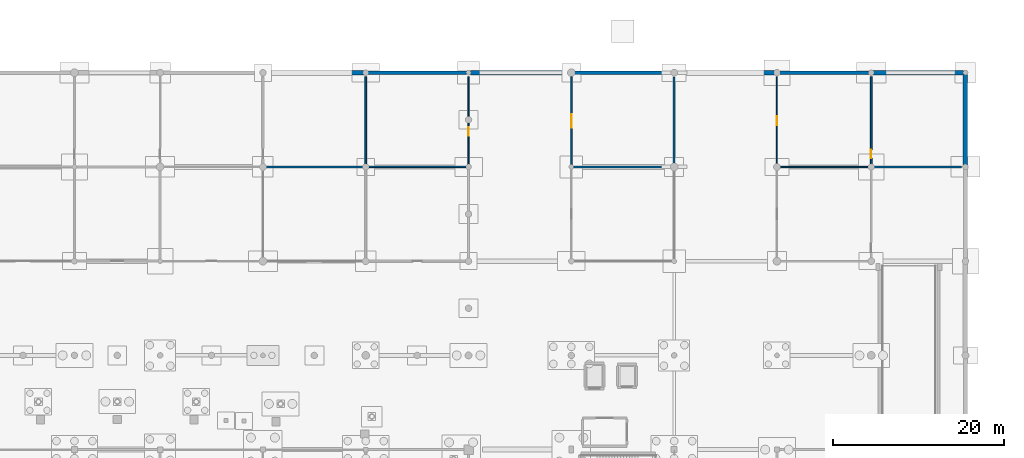
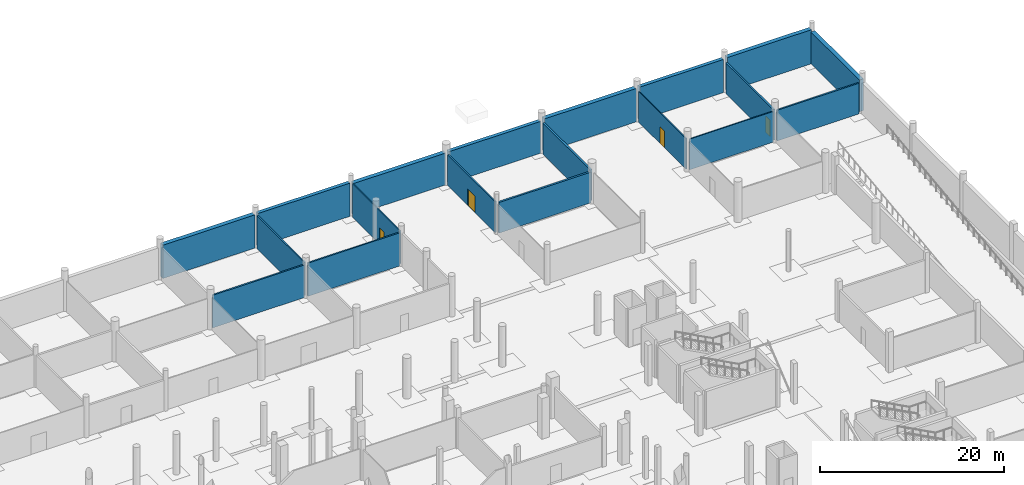
# One storey, part 43 of 60: 19 walls, 4 doors, 4 openings.
"""IFC4 building model written with IfcOpenShell, lengths in metres."""

from ifc_helpers import new_model, si_unit, direction, frame, frame_2d, origin, place, context, subcontext, project, spatial, rectangle, extrude, material, layer, layer_set, type_object, element, fill, save


model = new_model("IFC4")

# Units and contexts
model_context = context("Model", 3, precision=1e-05, world=origin(), true_north=direction((0.0, 1.0)))
body_context = subcontext(model_context, "Body", "Model", "MODEL_VIEW")
ifc_project = project(units=[si_unit("LENGTHUNIT", "METRE"), si_unit("AREAUNIT", "SQUARE_METRE"), si_unit("VOLUMEUNIT", "CUBIC_METRE"), si_unit("PLANEANGLEUNIT", "RADIAN"), si_unit("MASSUNIT", "GRAM", prefix="KILO")], contexts=[model_context])

# Site, building, storey
site_placement = place(None, origin())
site = spatial("IfcSite", under=ifc_project, at=site_placement, CompositionType="ELEMENT")
building_placement = place(site_placement, origin())
building = spatial("IfcBuilding", under=site, at=building_placement, Name="Luwafu Chhajja Arena", CompositionType="ELEMENT")
storey_placement = place(building_placement, frame((0.0, 0.0, -5.39990234375)))
storey = spatial("IfcBuildingStorey", under=building, at=storey_placement, Name="B1", CompositionType="ELEMENT", Elevation=-5.39990234375)

# Walls
ifc_material_1 = material(Name="Acoustic gypsum and mineral wool partition")
ifc_layer_1 = layer(ifc_material_1, 0.199951171875, Name="Acoustic gypsum and mineral wool partition")
ifc_layer_set_1 = layer_set([ifc_layer_1], Name="Acoustic gypsum and mineral wool partition")
wall_type_1 = type_object("IfcWallType", Name="Acoustic Broadcast Studio Partition 200", PredefinedType="PARTITIONING", material=ifc_layer_set_1)
wall_1_placement = place(storey_placement, frame((116.219970703125, 121.0, 0.0), z_axis=(0.0, 0.0, 1.0), x_axis=(1.0, 0.0, 0.0)))
element("IfcWall", 1, at=wall_1_placement, inside=storey, type_object=wall_type_1, Name="B1 Internal Partition 0127", PredefinedType="PARTITIONING", context=body_context, shape_type="SweptSolid", body=[
    extrude(rectangle(XDim=11.56005859375, YDim=0.199951171875, at=frame_2d((5.780029296875, 0.0))), origin(), (0.0, 0.0, 1.0), 4.329833984375),
])
wall_2_placement = place(storey_placement, frame((187.219970703125, 121.0, 0.0), z_axis=(0.0, 0.0, 1.0), x_axis=(1.0, 0.0, 0.0)))
element("IfcWall", 2, at=wall_2_placement, inside=storey, type_object=wall_type_1, Name="B1 Internal Partition 0139", PredefinedType="PARTITIONING", context=body_context, shape_type="SweptSolid", body=[
    extrude(rectangle(XDim=10.300048828125, YDim=0.199951171875, at=frame_2d((5.14990234375, 0.0))), origin(), (0.0, 0.0, 1.0), 4.079833984375),
])
ifc_material_2 = material(Name="Concrete blockwork masonry", Category="masonry")
ifc_layer_2 = layer(ifc_material_2, 0.239990234375, Name="Concrete blockwork masonry")
ifc_layer_set_2 = layer_set([ifc_layer_2], Name="Concrete blockwork masonry")
wall_type_2 = type_object("IfcWallType", Name="Compartment Masonry Partition 240", PredefinedType="PARTITIONING", material=ifc_layer_set_2)
wall_3_placement = place(storey_placement, frame((164.0, 121.219970703125, 0.0), z_axis=(0.0, 0.0, 1.0), x_axis=(0.0, 1.0, 0.0)))
element("IfcWall", 3, at=wall_3_placement, inside=storey, type_object=wall_type_2, Name="B1 Internal Partition 0082", PredefinedType="PARTITIONING", context=body_context, shape_type="SweptSolid", body=[
    extrude(rectangle(XDim=10.300048828125, YDim=0.239990234375, at=frame_2d((5.14990234375, 0.0))), origin(), (0.0, 0.0, 1.0), 4.1298828125),
])
wall_4_placement = place(storey_placement, frame((152.219970703125, 121.0, 0.0), z_axis=(0.0, 0.0, 1.0), x_axis=(1.0, 0.0, 0.0)))
element("IfcWall", 4, at=wall_4_placement, inside=storey, type_object=wall_type_2, Name="B1 Internal Partition 0132", PredefinedType="PARTITIONING", context=body_context, shape_type="SweptSolid", body=[
    extrude(rectangle(XDim=11.56005859375, YDim=0.239990234375, at=frame_2d((5.780029296875, 0.0))), origin(), (0.0, 0.0, 1.0), 4.079833984375),
])

# Wall, opening, door
ifc_material_3 = material(Name="Lightweight blockwork partition", Category="masonry")
ifc_layer_3 = layer(ifc_material_3, 0.139892578125, Name="Lightweight blockwork partition")
ifc_layer_set_3 = layer_set([ifc_layer_3], Name="Lightweight blockwork partition")
wall_type_3 = type_object("IfcWallType", Name="Concourse Kiosk Partition 140", PredefinedType="PARTITIONING", material=ifc_layer_set_3)
wall_5_placement = place(storey_placement, frame((140.0, 121.219970703125, 0.0), z_axis=(0.0, 0.0, 1.0), x_axis=(0.0, 1.0, 0.0)))
wall_5 = element("IfcWall", 5, at=wall_5_placement, inside=storey, type_object=wall_type_3, Name="B1 Internal Partition 0073", PredefinedType="PARTITIONING", context=body_context, shape_type="SweptSolid", body=[
    extrude(rectangle(XDim=10.300048828125, YDim=0.139892578125, at=frame_2d((5.14990234375, 0.0))), origin(), (0.0, 0.0, 1.0), 4.429931640625),
])
opening_1_placement = place(wall_5_placement, frame((3.43408203125, 0.0, 0.0)))
opening_1 = element("IfcOpeningElement", 6, at=opening_1_placement, cuts=wall_5, Name="Opening DR-22", PredefinedType="OPENING", context=body_context, shape_type="SweptSolid", body=[
    extrude(rectangle(XDim=0.9599609375, YDim=2.14990234375, at=frame_2d((0.47998046875, 1.074951171875))), frame((0.0, 0.079833984375, 0.0), z_axis=(0.0, -1.0, 0.0), x_axis=(1.0, 0.0, 0.0)), (0.0, 0.0, 1.0), 0.159912109375),
])
ifc_material_4 = material(Name="Hardwood flush office door", Category="wood")
door_type_1 = type_object("IfcDoorType", Name="DR-22", OperationType="NOTDEFINED", PredefinedType="DOOR", material=ifc_material_4)
door_1_placement = place(opening_1_placement, origin())
door_1 = element("IfcDoor", 7, at=door_1_placement, inside=storey, type_object=door_type_1, Name="B1 Interior Door B1-D059", OperationType="SINGLE_SWING_LEFT", OverallHeight=2.14990234375, OverallWidth=0.9599609375, PredefinedType="DOOR", context=body_context, shape_type="SweptSolid", body=[
    extrude(rectangle(XDim=0.9599609375, YDim=2.14990234375, at=frame_2d((0.47998046875, 1.074951171875))), frame((0.0, 0.02490234375, 0.0), z_axis=(0.0, -1.0, 0.0), x_axis=(1.0, 0.0, 0.0)), (0.0, 0.0, 1.0), 0.050048828125),
])
fill(opening_1, door_1)

# Wall
wall_6_placement = place(storey_placement, frame((176.219970703125, 121.0, 0.0), z_axis=(0.0, 0.0, 1.0), x_axis=(1.0, 0.0, 0.0)))
element("IfcWall", 8, at=wall_6_placement, inside=storey, type_object=wall_type_3, Name="B1 Internal Partition 0136", PredefinedType="PARTITIONING", context=body_context, shape_type="SweptSolid", body=[
    extrude(rectangle(XDim=10.56005859375, YDim=0.139892578125, at=frame_2d((5.280029296875, 0.0))), origin(), (0.0, 0.0, 1.0), 4.079833984375),
])

# Wall, opening, door
ifc_layer_4 = layer(ifc_material_2, 0.179931640625, Name="Concrete blockwork masonry")
ifc_layer_set_4 = layer_set([ifc_layer_4], Name="Concrete blockwork masonry")
wall_type_4 = type_object("IfcWallType", Name="Hospitality Suite Partition 180", PredefinedType="PARTITIONING", material=ifc_layer_set_4)
wall_7_placement = place(storey_placement, frame((152.0, 121.219970703125, 0.0), z_axis=(0.0, 0.0, 1.0), x_axis=(0.0, 1.0, 0.0)))
wall_7 = element("IfcWall", 9, at=wall_7_placement, inside=storey, type_object=wall_type_4, Name="B1 Internal Partition 0077", PredefinedType="PARTITIONING", context=body_context, shape_type="SweptSolid", body=[
    extrude(rectangle(XDim=10.300048828125, YDim=0.179931640625, at=frame_2d((5.14990234375, 0.0))), origin(), (0.0, 0.0, 1.0), 4.079833984375),
])
opening_2_placement = place(wall_7_placement, frame((4.3701171875, 0.0, 0.0)))
opening_2 = element("IfcOpeningElement", 10, at=opening_2_placement, cuts=wall_7, Name="Opening DR-19", PredefinedType="OPENING", context=body_context, shape_type="SweptSolid", body=[
    extrude(rectangle(XDim=1.56005859375, YDim=2.199951171875, at=frame_2d((0.780029296875, 1.10009765625))), frame((0.0, 0.099853515625, 0.0), z_axis=(0.0, -1.0, 0.0), x_axis=(1.0, 0.0, 0.0)), (0.0, 0.0, 1.0), 0.199951171875),
])
ifc_material_5 = material(Name="Solid-core moisture-resistant laminate leaf")
door_type_2 = type_object("IfcDoorType", Name="DR-19", OperationType="DOUBLE_DOOR_SINGLE_SWING", PredefinedType="DOOR", material=ifc_material_5)
door_2_placement = place(opening_2_placement, origin())
door_2 = element("IfcDoor", 11, at=door_2_placement, inside=storey, type_object=door_type_2, Name="B1 Interior Door B1-D063", OperationType="DOUBLE_DOOR_SINGLE_SWING", OverallHeight=2.199951171875, OverallWidth=1.56005859375, PredefinedType="DOOR", context=body_context, shape_type="SweptSolid", body=[
    extrude(rectangle(XDim=1.56005859375, YDim=2.199951171875, at=frame_2d((0.780029296875, 1.10009765625))), frame((0.0, 0.02490234375, 0.0), z_axis=(0.0, -1.0, 0.0), x_axis=(1.0, 0.0, 0.0)), (0.0, 0.0, 1.0), 0.050048828125),
])
fill(opening_2, door_2)

# Walls
wall_8_placement = place(storey_placement, frame((128.0, 121.219970703125, 0.0), z_axis=(0.0, 0.0, 1.0), x_axis=(0.0, 1.0, 0.0)))
element("IfcWall", 12, at=wall_8_placement, inside=storey, type_object=wall_type_4, Name="B1 Internal Partition 0129", PredefinedType="PARTITIONING", context=body_context, shape_type="SweptSolid", body=[
    extrude(rectangle(XDim=10.300048828125, YDim=0.179931640625, at=frame_2d((5.14990234375, 0.0))), origin(), (0.0, 0.0, 1.0), 4.40966796875),
])
wall_9_placement = place(storey_placement, frame((128.219970703125, 121.0, 0.0), z_axis=(0.0, 0.0, 1.0), x_axis=(1.0, 0.0, 0.0)))
element("IfcWall", 13, at=wall_9_placement, inside=storey, type_object=wall_type_4, Name="B1 Internal Partition 0130", PredefinedType="PARTITIONING", context=body_context, shape_type="SweptSolid", body=[
    extrude(rectangle(XDim=11.56005859375, YDim=0.179931640625, at=frame_2d((5.780029296875, 0.0))), origin(), (0.0, 0.0, 1.0), 4.40966796875),
])

# Wall, opening, door
ifc_material_6 = material(Name="Acoustic metal-stud gypsum board")
ifc_layer_5 = layer(ifc_material_6, 0.1201171875, Name="Acoustic metal-stud gypsum board")
ifc_layer_set_5 = layer_set([ifc_layer_5], Name="Acoustic metal-stud gypsum board")
wall_type_5 = type_object("IfcWallType", Name="Internal Room Partition 120", PredefinedType="PARTITIONING", material=ifc_layer_set_5)
wall_10_placement = place(storey_placement, frame((176.0, 121.219970703125, 0.0), z_axis=(0.0, 0.0, 1.0), x_axis=(0.0, 1.0, 0.0)))
wall_10 = element("IfcWall", 14, at=wall_10_placement, inside=storey, type_object=wall_type_5, Name="B1 Internal Partition 0087", PredefinedType="PARTITIONING", context=body_context, shape_type="SweptSolid", body=[
    extrude(rectangle(XDim=10.300048828125, YDim=0.1201171875, at=frame_2d((5.14990234375, 0.0))), origin(), (0.0, 0.0, 1.0), 4.079833984375),
])
opening_3_placement = place(wall_10_placement, frame((4.6298828125, 0.0, 0.0)))
opening_3 = element("IfcOpeningElement", 15, at=opening_3_placement, cuts=wall_10, Name="Opening DR-24", PredefinedType="OPENING", context=body_context, shape_type="SweptSolid", body=[
    extrude(rectangle(XDim=1.0400390625, YDim=2.199951171875, at=frame_2d((0.52001953125, 1.10009765625))), frame((0.0, 0.070068359375, 0.0), z_axis=(0.0, -1.0, 0.0), x_axis=(1.0, 0.0, 0.0)), (0.0, 0.0, 1.0), 0.14013671875),
])
ifc_material_7 = material(Name="Hardwood flush classroom door", Category="wood")
door_type_3 = type_object("IfcDoorType", Name="DR-24", OperationType="NOTDEFINED", PredefinedType="DOOR", material=ifc_material_7)
door_3_placement = place(opening_3_placement, origin())
door_3 = element("IfcDoor", 16, at=door_3_placement, inside=storey, type_object=door_type_3, Name="B1 Interior Door B1-D069", OperationType="SINGLE_SWING_RIGHT", OverallHeight=2.199951171875, OverallWidth=1.0400390625, PredefinedType="DOOR", context=body_context, shape_type="SweptSolid", body=[
    extrude(rectangle(XDim=1.0400390625, YDim=2.199951171875, at=frame_2d((0.52001953125, 1.10009765625))), frame((0.0, 0.02490234375, 0.0), z_axis=(0.0, -1.0, 0.0), x_axis=(1.0, 0.0, 0.0)), (0.0, 0.0, 1.0), 0.050048828125),
])
fill(opening_3, door_3)

ifc_layer_6 = layer(ifc_material_2, 0.219970703125, Name="Concrete blockwork masonry")
ifc_layer_set_6 = layer_set([ifc_layer_6], Name="Concrete blockwork masonry")
wall_type_6 = type_object("IfcWallType", Name="Protected Corridor Partition 220", PredefinedType="PARTITIONING", material=ifc_layer_set_6)
wall_11_placement = place(storey_placement, frame((187.0, 121.219970703125, 0.0), z_axis=(0.0, 0.0, 1.0), x_axis=(0.0, 1.0, 0.0)))
wall_11 = element("IfcWall", 17, at=wall_11_placement, inside=storey, type_object=wall_type_6, Name="B1 Internal Partition 0138", PredefinedType="PARTITIONING", context=body_context, shape_type="SweptSolid", body=[
    extrude(rectangle(XDim=10.300048828125, YDim=0.219970703125, at=frame_2d((5.14990234375, 0.0))), origin(), (0.0, 0.0, 1.0), 4.079833984375),
])
opening_4_placement = place(wall_11_placement, frame((0.8173828125, 0.0, 0.0)))
opening_4 = element("IfcOpeningElement", 18, at=opening_4_placement, cuts=wall_11, Name="Opening DR-17", PredefinedType="OPENING", context=body_context, shape_type="SweptSolid", body=[
    extrude(rectangle(XDim=0.93994140625, YDim=2.14990234375, at=frame_2d((0.469970703125, 1.074951171875))), frame((0.0, 0.119873046875, 0.0), z_axis=(0.0, -1.0, 0.0), x_axis=(1.0, 0.0, 0.0)), (0.0, 0.0, 1.0), 0.239990234375),
])
ifc_material_8 = material(Name="Acoustic steel-core timber door", Category="steel")
door_type_4 = type_object("IfcDoorType", Name="DR-17", OperationType="NOTDEFINED", PredefinedType="DOOR", material=ifc_material_8)
door_4_placement = place(opening_4_placement, origin())
door_4 = element("IfcDoor", 19, at=door_4_placement, inside=storey, type_object=door_type_4, Name="B1 Interior Door B1-D081", OperationType="SINGLE_SWING_LEFT", OverallHeight=2.14990234375, OverallWidth=0.93994140625, PredefinedType="DOOR", context=body_context, shape_type="SweptSolid", body=[
    extrude(rectangle(XDim=0.93994140625, YDim=2.14990234375, at=frame_2d((0.469970703125, 1.074951171875))), frame((0.0, 0.02490234375, 0.0), z_axis=(0.0, -1.0, 0.0), x_axis=(1.0, 0.0, 0.0)), (0.0, 0.0, 1.0), 0.050048828125),
])
fill(opening_4, door_4)

# Walls
ifc_material_9 = material(Name="Concrete C40/50", Category="concrete")
ifc_layer_7 = layer(ifc_material_9, 0.43994140625, Name="Concrete C40/50")
ifc_layer_set_7 = layer_set([ifc_layer_7], Name="Concrete C40/50")
wall_type_7 = type_object("IfcWallType", Name="RC Basement Retaining Wall 440", PredefinedType="SOLIDWALL", material=ifc_layer_set_7)
wall_12_placement = place(storey_placement, frame((128.219970703125, 132.0, 0.0), z_axis=(0.0, 0.0, 1.0), x_axis=(1.0, 0.0, 0.0)))
element("IfcWall", 20, at=wall_12_placement, inside=storey, type_object=wall_type_7, Name="B1 Exterior Wall WEX-B1-030", PredefinedType="SOLIDWALL", context=body_context, shape_type="SweptSolid", body=[
    extrude(rectangle(XDim=11.56005859375, YDim=0.43994140625, at=frame_2d((5.780029296875, 0.0))), origin(), (0.0, 0.0, 1.0), 4.417724609375),
])
wall_13_placement = place(storey_placement, frame((152.219970703125, 132.0, 0.0), z_axis=(0.0, 0.0, 1.0), x_axis=(1.0, 0.0, 0.0)))
element("IfcWall", 21, at=wall_13_placement, inside=storey, type_object=wall_type_7, Name="B1 Exterior Wall WEX-B1-035", PredefinedType="SOLIDWALL", context=body_context, shape_type="SweptSolid", body=[
    extrude(rectangle(XDim=11.56005859375, YDim=0.43994140625, at=frame_2d((5.780029296875, 0.0))), origin(), (0.0, 0.0, 1.0), 4.22998046875),
])
wall_14_placement = place(storey_placement, frame((176.219970703125, 132.0, 0.0), z_axis=(0.0, 0.0, 1.0), x_axis=(1.0, 0.0, 0.0)))
element("IfcWall", 22, at=wall_14_placement, inside=storey, type_object=wall_type_7, Name="B1 Exterior Wall WEX-B1-039", PredefinedType="SOLIDWALL", context=body_context, shape_type="SweptSolid", body=[
    extrude(rectangle(XDim=10.56005859375, YDim=0.43994140625, at=frame_2d((5.280029296875, 0.0))), origin(), (0.0, 0.0, 1.0), 4.417724609375),
])
ifc_layer_8 = layer(ifc_material_9, 0.52001953125, Name="Concrete C40/50")
ifc_layer_set_8 = layer_set([ifc_layer_8], Name="Concrete C40/50")
wall_type_8 = type_object("IfcWallType", Name="RC Basement Retaining Wall 520", PredefinedType="SOLIDWALL", material=ifc_layer_set_8)
wall_15_placement = place(storey_placement, frame((116.219970703125, 132.0, 0.0), z_axis=(0.0, 0.0, 1.0), x_axis=(1.0, 0.0, 0.0)))
element("IfcWall", 23, at=wall_15_placement, inside=storey, type_object=wall_type_8, Name="B1 Exterior Wall WEX-B1-029", PredefinedType="SOLIDWALL", context=body_context, shape_type="SweptSolid", body=[
    extrude(rectangle(XDim=11.56005859375, YDim=0.52001953125, at=frame_2d((5.780029296875, 0.0))), origin(), (0.0, 0.0, 1.0), 4.417724609375),
])
wall_16_placement = place(storey_placement, frame((140.219970703125, 132.0, 0.0), z_axis=(0.0, 0.0, 1.0), x_axis=(1.0, 0.0, 0.0)))
element("IfcWall", 24, at=wall_16_placement, inside=storey, type_object=wall_type_8, Name="B1 Exterior Wall WEX-B1-033", PredefinedType="SOLIDWALL", context=body_context, shape_type="SweptSolid", body=[
    extrude(rectangle(XDim=11.56005859375, YDim=0.52001953125, at=frame_2d((5.780029296875, 0.0))), origin(), (0.0, 0.0, 1.0), 4.22998046875),
])
wall_17_placement = place(storey_placement, frame((164.219970703125, 132.0, 0.0), z_axis=(0.0, 0.0, 1.0), x_axis=(1.0, 0.0, 0.0)))
element("IfcWall", 25, at=wall_17_placement, inside=storey, type_object=wall_type_8, Name="B1 Exterior Wall WEX-B1-037", PredefinedType="SOLIDWALL", context=body_context, shape_type="SweptSolid", body=[
    extrude(rectangle(XDim=11.56005859375, YDim=0.52001953125, at=frame_2d((5.780029296875, 0.0))), origin(), (0.0, 0.0, 1.0), 4.417724609375),
])
wall_18_placement = place(storey_placement, frame((187.219970703125, 132.0, 0.0), z_axis=(0.0, 0.0, 1.0), x_axis=(1.0, 0.0, 0.0)))
element("IfcWall", 26, at=wall_18_placement, inside=storey, type_object=wall_type_8, Name="B1 Exterior Wall WEX-B1-052", PredefinedType="SOLIDWALL", context=body_context, shape_type="SweptSolid", body=[
    extrude(rectangle(XDim=10.56005859375, YDim=0.52001953125, at=frame_2d((5.280029296875, 0.0))), origin(), (0.0, 0.0, 1.0), 4.52978515625),
])
wall_19_placement = place(storey_placement, frame((198.0, 121.219970703125, 0.0), z_axis=(0.0, 0.0, 1.0), x_axis=(0.0, 1.0, 0.0)))
element("IfcWall", 27, at=wall_19_placement, inside=storey, type_object=wall_type_8, Name="B1 Exterior Wall WEX-B1-053", PredefinedType="SOLIDWALL", context=body_context, shape_type="SweptSolid", body=[
    extrude(rectangle(XDim=10.56005859375, YDim=0.52001953125, at=frame_2d((5.280029296875, 0.0))), origin(), (0.0, 0.0, 1.0), 4.22998046875),
])

save(model, "model.ifc")
